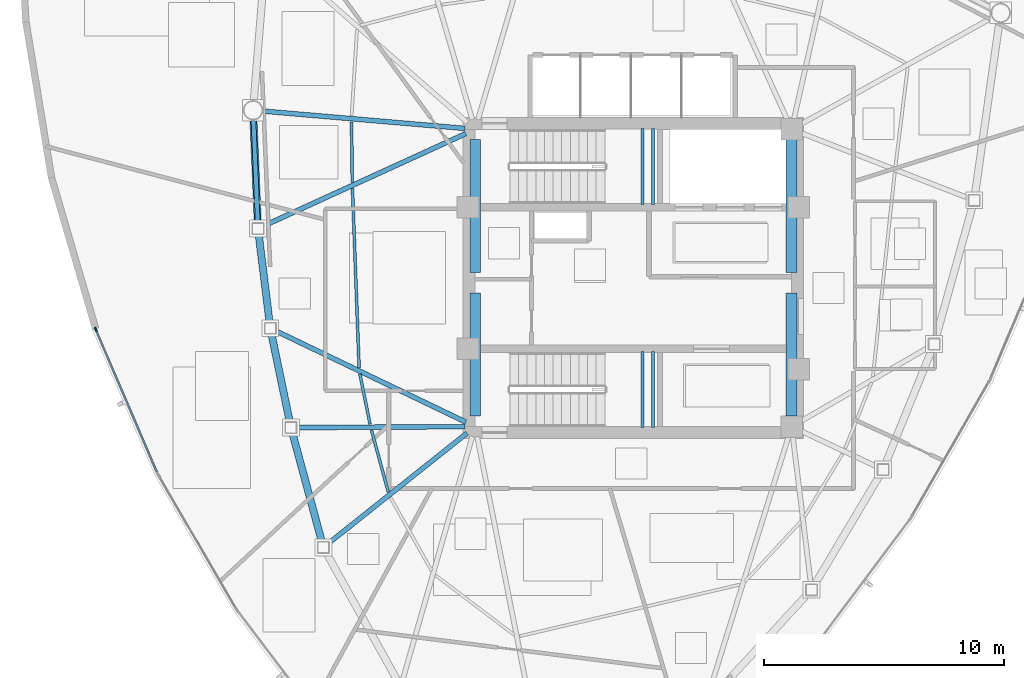
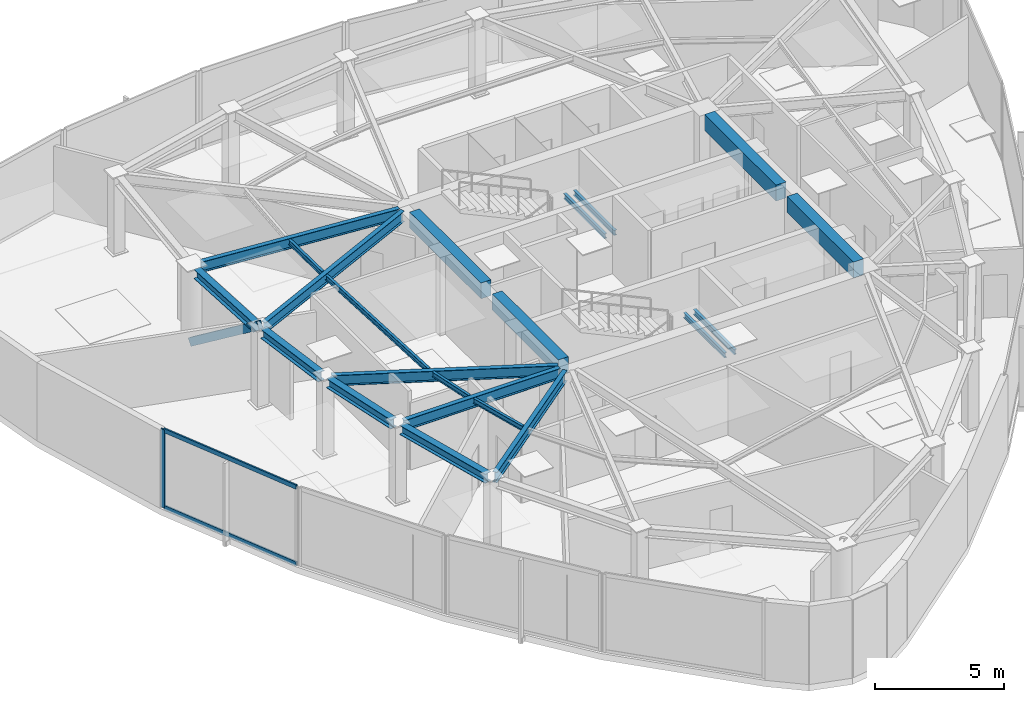
# One storey, part 3 of 12: 21 beams, 4 members, 1 element without a shape of its own.
"""IFC4 building model written with IfcOpenShell, lengths in metres."""

from ifc_helpers import new_model, si_unit, direction, frame, origin, origin_2d, place, context, subcontext, project, spatial, rectangle, hollow_rectangle, i_section, extrude, source, transform, mapped, material, layer, layer_set, material_profile, profile_set, type_object, type_shapes, element, aggregate, save


model = new_model("IFC4")

# Units and contexts
model_context = context("Model", 3, precision=1e-05, world=origin(), true_north=direction((0.0, 1.0)))
body_context = subcontext(model_context, "Body", "Model", "MODEL_VIEW")
ifc_project = project(units=[si_unit("LENGTHUNIT", "METRE"), si_unit("AREAUNIT", "SQUARE_METRE"), si_unit("VOLUMEUNIT", "CUBIC_METRE"), si_unit("PLANEANGLEUNIT", "RADIAN"), si_unit("MASSUNIT", "GRAM", prefix="KILO")], contexts=[model_context])

# Site, building, storey
site_placement = place(None, origin())
site = spatial("IfcSite", under=ifc_project, at=site_placement, CompositionType="ELEMENT")
building_placement = place(site_placement, origin())
building = spatial("IfcBuilding", under=site, at=building_placement, Name="Tavelor Broadcast Tower", CompositionType="ELEMENT")
storey_placement = place(building_placement, frame((0.0, 0.0, 281.5)))
storey = spatial("IfcBuildingStorey", under=building, at=storey_placement, Name="L67", CompositionType="ELEMENT", Elevation=281.5)

# Beams
ifc_material_1 = material(Name="Concrete C40/50", Category="concrete")
ifc_material_profile_1 = material_profile(ifc_material_1, rectangle(XDim=0.449951171875, YDim=0.75, at=origin_2d()), Name="RC 450x750")
ifc_profile_set_1 = profile_set([ifc_material_profile_1], Name="Concrete C40/50")
beam_type_1 = type_object("IfcBeamType", Name="Basement Core Trim Beam 450x750", PredefinedType="BEAM", material=ifc_profile_set_1)
for number, where, z_axis, x_axis, name in (
    (1, (43.39990234375, 45.23193359375, 3.324951171875), (0.0, 1.0, 0.0), (-1.0, 0.0, 0.0), "L67 Core West-N Tie Girder"),
    (2, (56.60009765625, 45.23193359375, 3.324951171875), (0.0, 1.0, 0.0), (-1.0, 0.0, 0.0), "L67 Core East-N Tie Girder"),
):
    element("IfcBeam", number, at=place(storey_placement, frame(where, z_axis=z_axis, x_axis=x_axis)), inside=storey, type_object=beam_type_1, Name=name, PredefinedType="BEAM", context=body_context, shape_type="SweptSolid", body=[
        extrude(rectangle(XDim=0.449951171875, YDim=0.75, at=origin_2d()), origin(), (0.0, 0.0, 1.0), 5.5361328125),
    ])
for number, where, z_axis, x_axis, name in (
    (3, (43.39990234375, 39.23193359375, 3.324951171875), (0.0, 1.0, 0.0), (-1.0, 0.0, 0.0), "L67 Core West-S Tie Girder"),
    (4, (56.60009765625, 39.23193359375, 3.324951171875), (0.0, 1.0, 0.0), (-1.0, 0.0, 0.0), "L67 Core East-S Tie Girder"),
):
    element("IfcBeam", number, at=place(storey_placement, frame(where, z_axis=z_axis, x_axis=x_axis)), inside=storey, type_object=beam_type_1, Name=name, PredefinedType="BEAM", context=body_context, shape_type="SweptSolid", body=[
        extrude(rectangle(XDim=0.449951171875, YDim=0.75, at=origin_2d()), origin(), (0.0, 0.0, 1.0), 5.135986328125),
    ])
ifc_material_2 = material(Name="Steel S355", Category="steel")
ifc_material_profile_2 = material_profile(ifc_material_2, i_section(OverallWidth=0.1201171875, OverallDepth=0.239990234375, WebThickness=0.006103515625, FlangeThickness=0.009765625, at=origin_2d()), Name="IPE 240")
ifc_profile_set_2 = profile_set([ifc_material_profile_2], Name="Steel S355")
beam_type_2 = type_object("IfcBeamType", Name="Composite Floor Joist T7 IPE 240", PredefinedType="JOIST", material=ifc_profile_set_2)
beam_1_placement = place(storey_placement, frame((38.241455078125, 51.514404296875, 3.580078125), z_axis=(0.013238113163, -0.999912372341, 0.0), x_axis=(0.999912372341, 0.013238113163, 0.0)))
element("IfcBeam", 5, at=beam_1_placement, inside=storey, type_object=beam_type_2, Name="L67 Secondary Composite Floor Joist 01", PredefinedType="JOIST", context=body_context, shape_type="SweptSolid", body=[
    extrude(i_section(OverallWidth=0.1201171875, OverallDepth=0.239990234375, WebThickness=0.006103515625, FlangeThickness=0.009765625, at=origin_2d()), origin(), (0.0, 0.0, 1.0), 2.526611328125),
])
beam_2_placement = place(storey_placement, frame((38.281494140625, 48.730224609375, 3.580078125), z_axis=(0.037116611217, -0.999310941185, 0.0), x_axis=(0.999310941185, 0.037116611217, 0.0)))
element("IfcBeam", 6, at=beam_2_placement, inside=storey, type_object=beam_type_2, Name="L67 Secondary Composite Floor Joist 02", PredefinedType="JOIST", context=body_context, shape_type="SweptSolid", body=[
    extrude(i_section(OverallWidth=0.1201171875, OverallDepth=0.239990234375, WebThickness=0.006103515625, FlangeThickness=0.009765625, at=origin_2d()), origin(), (0.0, 0.0, 1.0), 7.4853515625),
])
beam_3_placement = place(storey_placement, frame((38.58984375, 40.99462890625, 3.580078125), z_axis=(0.199500807381, -0.979897661929, 0.0), x_axis=(0.979897661929, 0.199500807381, 0.0)))
element("IfcBeam", 7, at=beam_3_placement, inside=storey, type_object=beam_type_2, Name="L67 Secondary Composite Floor Joist 03", PredefinedType="JOIST", context=body_context, shape_type="SweptSolid", body=[
    extrude(i_section(OverallWidth=0.1201171875, OverallDepth=0.239990234375, WebThickness=0.006103515625, FlangeThickness=0.009765625, at=origin_2d()), origin(), (0.0, 0.0, 1.0), 2.135498046875),
])
beam_4_placement = place(storey_placement, frame((39.075439453125, 38.651123046875, 3.580078125), z_axis=(0.261967616798, -0.965076664182, 0.0), x_axis=(0.965076664182, 0.261967616798, 0.0)))
element("IfcBeam", 8, at=beam_4_placement, inside=storey, type_object=beam_type_2, Name="L67 Secondary Composite Floor Joist 04", PredefinedType="JOIST", context=body_context, shape_type="SweptSolid", body=[
    extrude(i_section(OverallWidth=0.1201171875, OverallDepth=0.239990234375, WebThickness=0.006103515625, FlangeThickness=0.009765625, at=origin_2d()), origin(), (0.0, 0.0, 1.0), 2.677490234375),
])
ifc_material_profile_3 = material_profile(ifc_material_2, i_section(OverallWidth=0.300048828125, OverallDepth=0.43994140625, WebThickness=0.011474609375, FlangeThickness=0.02099609375, at=origin_2d()), Name="HEA 450")
ifc_profile_set_3 = profile_set([ifc_material_profile_3], Name="Steel S355")
beam_type_3 = type_object("IfcBeamType", Name="Perimeter Spandrel Beam T7 HEA 450", PredefinedType="SPANDREL", material=ifc_profile_set_3)
beam_5_placement = place(storey_placement, frame((34.151123046875, 51.60595703125, 3.47998046875), z_axis=(0.041873296911, -0.999122928876, 0.0), x_axis=(0.999122928876, 0.041873296911, 0.0)))
element("IfcBeam", 9, at=beam_5_placement, inside=storey, type_object=beam_type_3, Name="L67 Framed-Tube Ring Spandrel 01", PredefinedType="SPANDREL", context=body_context, shape_type="SweptSolid", body=[
    extrude(i_section(OverallWidth=0.300048828125, OverallDepth=0.43994140625, WebThickness=0.011474609375, FlangeThickness=0.02099609375, at=origin_2d()), origin(), (0.0, 0.0, 1.0), 4.30859375),
])
beam_6_placement = place(storey_placement, frame((34.370849609375, 46.822998046875, 3.47998046875), z_axis=(0.122301764237, -0.992492961418, 0.0), x_axis=(0.992492961418, 0.122301764237, 0.0)))
element("IfcBeam", 10, at=beam_6_placement, inside=storey, type_object=beam_type_3, Name="L67 Framed-Tube Ring Spandrel 02", PredefinedType="SPANDREL", context=body_context, shape_type="SweptSolid", body=[
    extrude(i_section(OverallWidth=0.300048828125, OverallDepth=0.43994140625, WebThickness=0.011474609375, FlangeThickness=0.02099609375, at=origin_2d()), origin(), (0.0, 0.0, 1.0), 3.7109375),
])
beam_7_placement = place(storey_placement, frame((34.903076171875, 42.666748046875, 3.47998046875), z_axis=(0.203665911817, -0.979040446746, 0.0), x_axis=(0.979040446746, 0.203665911817, 0.0)))
element("IfcBeam", 11, at=beam_7_placement, inside=storey, type_object=beam_type_3, Name="L67 Framed-Tube Ring Spandrel 03", PredefinedType="SPANDREL", context=body_context, shape_type="SweptSolid", body=[
    extrude(i_section(OverallWidth=0.300048828125, OverallDepth=0.43994140625, WebThickness=0.011474609375, FlangeThickness=0.02099609375, at=origin_2d()), origin(), (0.0, 0.0, 1.0), 3.753173828125),
])
beam_8_placement = place(storey_placement, frame((35.779296875, 38.525390625, 3.47998046875), z_axis=(0.261032085305, -0.965330125108, 0.0), x_axis=(0.965330125108, 0.261032085305, 0.0)))
element("IfcBeam", 12, at=beam_8_placement, inside=storey, type_object=beam_type_3, Name="L67 Framed-Tube Ring Spandrel 04", PredefinedType="SPANDREL", context=body_context, shape_type="SweptSolid", body=[
    extrude(i_section(OverallWidth=0.300048828125, OverallDepth=0.43994140625, WebThickness=0.011474609375, FlangeThickness=0.02099609375, at=origin_2d()), origin(), (0.0, 0.0, 1.0), 4.697021484375),
])

# Member
ifc_material_profile_4 = material_profile(ifc_material_2, hollow_rectangle(XDim=0.199951171875, YDim=0.35009765625, WallThickness=0.01611328125, at=origin_2d()), Name="RHS 350x200x16")
ifc_profile_set_4 = profile_set([ifc_material_profile_4], Name="Steel S355")
member_type_1 = type_object("IfcMemberType", Name="Perimeter Tube Brace T7 RHS 350x200x16", PredefinedType="BRACE", material=ifc_profile_set_4)
member_1_placement = place(storey_placement, frame((34.134765625, 51.995849609375, 0.0), z_axis=(0.033508994779, -0.799626685339, 0.599561766095), x_axis=(0.999123106787, 0.041869051625, 0.0)))
element("IfcMember", 13, at=member_1_placement, inside=storey, type_object=member_type_1, Name="L67 Corner Tube Diagonal Brace 1", PredefinedType="BRACE", context=body_context, shape_type="SweptSolid", body=[
    extrude(hollow_rectangle(XDim=0.199951171875, YDim=0.35009765625, WallThickness=0.01611328125, at=origin_2d()), origin(), (0.0, 0.0, 1.0), 6.171142578125),
])

# Beams
ifc_material_profile_5 = material_profile(ifc_material_2, i_section(OverallWidth=0.199951171875, OverallDepth=0.5, WebThickness=0.01025390625, FlangeThickness=0.01611328125, at=origin_2d()), Name="IPE 500")
ifc_profile_set_5 = profile_set([ifc_material_profile_5], Name="Steel S355")
beam_type_4 = type_object("IfcBeamType", Name="Radial Floor Girder T7 IPE 500", PredefinedType="BEAM", material=ifc_profile_set_5)
beam_9_placement = place(storey_placement, frame((42.969482421875, 51.237060546875, 3.449951171875), z_axis=(-0.996332421592, 0.085566966079, 0.0), x_axis=(-0.085566966079, -0.996332421592, 0.0)))
element("IfcBeam", 14, at=beam_9_placement, inside=storey, type_object=beam_type_4, Name="L67 Radial Primary Floor Girder 01", PredefinedType="BEAM", context=body_context, shape_type="SweptSolid", body=[
    extrude(i_section(OverallWidth=0.199951171875, OverallDepth=0.5, WebThickness=0.01025390625, FlangeThickness=0.01611328125, at=origin_2d()), origin(), (0.0, 0.0, 1.0), 8.476806640625),
])
beam_10_placement = place(storey_placement, frame((43.007080078125, 51.0205078125, 3.449951171875), z_axis=(-0.909555398284, -0.415582696285, 0.0), x_axis=(0.415582696285, -0.909555398284, 0.0)))
element("IfcBeam", 15, at=beam_10_placement, inside=storey, type_object=beam_type_4, Name="L67 Radial Primary Floor Girder 02", PredefinedType="BEAM", context=body_context, shape_type="SweptSolid", body=[
    extrude(i_section(OverallWidth=0.199951171875, OverallDepth=0.5, WebThickness=0.01025390625, FlangeThickness=0.01611328125, at=origin_2d()), origin(), (0.0, 0.0, 1.0), 9.287353515625),
])
beam_11_placement = place(storey_placement, frame((43.010498046875, 38.98681640625, 3.449951171875), z_axis=(-0.901529113374, 0.432718450888, 0.0), x_axis=(-0.432718450888, -0.901529113374, 0.0)))
element("IfcBeam", 16, at=beam_11_placement, inside=storey, type_object=beam_type_4, Name="L67 Radial Primary Floor Girder 03", PredefinedType="BEAM", context=body_context, shape_type="SweptSolid", body=[
    extrude(i_section(OverallWidth=0.199951171875, OverallDepth=0.5, WebThickness=0.01025390625, FlangeThickness=0.01611328125, at=origin_2d()), origin(), (0.0, 0.0, 1.0), 8.80712890625),
])
beam_12_placement = place(storey_placement, frame((42.968017578125, 38.797607421875, 3.449951171875), z_axis=(-0.999984286501, -0.005605956688, 0.0), x_axis=(0.005605956688, -0.999984286501, 0.0)))
element("IfcBeam", 17, at=beam_12_placement, inside=storey, type_object=beam_type_4, Name="L67 Radial Primary Floor Girder 04", PredefinedType="BEAM", context=body_context, shape_type="SweptSolid", body=[
    extrude(i_section(OverallWidth=0.199951171875, OverallDepth=0.5, WebThickness=0.01025390625, FlangeThickness=0.01611328125, at=origin_2d()), origin(), (0.0, 0.0, 1.0), 7.011474609375),
])
beam_13_placement = place(storey_placement, frame((43.06201171875, 38.531005859375, 3.449951171875), z_axis=(-0.782384634469, -0.622795539279, 0.0), x_axis=(0.622795539279, -0.782384634469, 0.0)))
element("IfcBeam", 18, at=beam_13_placement, inside=storey, type_object=beam_type_4, Name="L67 Radial Primary Floor Girder 05", PredefinedType="BEAM", context=body_context, shape_type="SweptSolid", body=[
    extrude(i_section(OverallWidth=0.199951171875, OverallDepth=0.5, WebThickness=0.01025390625, FlangeThickness=0.01611328125, at=origin_2d()), origin(), (0.0, 0.0, 1.0), 7.421142578125),
])
ifc_material_profile_6 = material_profile(ifc_material_2, i_section(OverallWidth=0.1201171875, OverallDepth=0.239990234375, WebThickness=0.006103515625, FlangeThickness=0.009765625, at=origin_2d()), Name="IPE 240")
ifc_profile_set_6 = profile_set([ifc_material_profile_6], Name="Steel S355")
beam_type_5 = type_object("IfcBeamType", Name="Stairwell Landing Support Trimmer Beam IPE240", PredefinedType="BEAM", material=ifc_profile_set_6)
for number, where, z_axis, x_axis, name in (
    (19, (50.385009765625, 48.06005859375, 1.68505859375), (0.0, 1.0, 0.0), (-1.0, 0.0, 0.0), "L67 Stair Landing Support Beam 175"),
    (20, (50.824951171875, 48.06005859375, 1.68505859375), (0.0, 1.0, 0.0), (-1.0, 0.0, 0.0), "L67 Stair Landing Support Beam 176"),
    (21, (50.385009765625, 38.760009765625, 1.68505859375), (0.0, 1.0, 0.0), (-1.0, 0.0, 0.0), "L67 Stair Landing Support Beam 389"),
    (22, (50.824951171875, 38.760009765625, 1.68505859375), (0.0, 1.0, 0.0), (-1.0, 0.0, 0.0), "L67 Stair Landing Support Beam 390"),
):
    element("IfcBeam", number, at=place(storey_placement, frame(where, z_axis=z_axis, x_axis=x_axis)), inside=storey, type_object=beam_type_5, Name=name, PredefinedType="BEAM", context=body_context, shape_type="SweptSolid", body=[
        extrude(i_section(OverallWidth=0.1201171875, OverallDepth=0.239990234375, WebThickness=0.006103515625, FlangeThickness=0.009765625, at=origin_2d()), origin(), (0.0, 0.0, 1.0), 3.179931640625),
    ])

# Curtain wall, members
ifc_material_3 = material(Name="Architectural Anodized Aluminium", Category="aluminium")
ifc_layer = layer(ifc_material_3, 0.199951171875)
ifc_layer_set = layer_set([ifc_layer], Name="Architectural Anodized Aluminium")
curtain_wall_type = type_object("IfcCurtainWallType", Name="Tower High-Zone Triple-Glazed Curtain Wall CW04", PredefinedType="NOTDEFINED", material=ifc_layer_set)
curtain_wall_placement = place(storey_placement, origin())
curtain_wall = element("IfcCurtainWall", 23, at=curtain_wall_placement, inside=storey, type_object=curtain_wall_type, Name="L67 Curtain Wall CW04 Run 733", PredefinedType="NOTDEFINED")
ifc_material_profile_7 = material_profile(ifc_material_3, hollow_rectangle(XDim=0.070068359375, YDim=0.199951171875, WallThickness=0.02197265625, at=origin_2d()), Name="RHS 70x200x22")
ifc_profile_set_7 = profile_set([ifc_material_profile_7], Name="Architectural Anodized Aluminium")
member_type_2 = type_object("IfcMemberType", Name="CW04 Extruded Aluminium Mullion 70x200", PredefinedType="MULLION", material=ifc_profile_set_7)
shared_shape_1 = source(origin(), body_context, "Body", "SweptSolid", [
    extrude(hollow_rectangle(XDim=0.070068359375, YDim=0.199951171875, WallThickness=0.02197265625, at=origin_2d()), origin(), (0.0, 0.0, 1.0), 3.699951171875),
])
type_shapes(member_type_2, [shared_shape_1])
member_2_placement = place(storey_placement, frame((27.57861328125, 42.8486328125, 0.0), z_axis=(0.0, 0.0, 1.0), x_axis=(0.918965351862, 0.394338283809, 0.0)))
member_2 = element("IfcMember", 24, at=member_2_placement, type_object=member_type_2, Name="CW04 mullion 1", PredefinedType="MULLION", context=body_context, shape_type="MappedRepresentation", body=[
    mapped(shared_shape_1, transform((0.0, 0.0, 0.0), scale=1.0)),
])
ifc_material_profile_8 = material_profile(ifc_material_3, hollow_rectangle(XDim=0.070068359375, YDim=0.199951171875, WallThickness=0.02197265625, at=origin_2d()), Name="RHS 70x200x22")
ifc_profile_set_8 = profile_set([ifc_material_profile_8], Name="Architectural Anodized Aluminium")
member_type_3 = type_object("IfcMemberType", Name="CW04 Extruded Aluminium Transom 70x200", PredefinedType="USERDEFINED", material=ifc_profile_set_8)
shared_shape_2 = source(origin(), body_context, "Body", "SweptSolid", [
    extrude(hollow_rectangle(XDim=0.070068359375, YDim=0.199951171875, WallThickness=0.02197265625, at=origin_2d()), origin(), (0.0, 0.0, 1.0), 6.427001953125),
])
type_shapes(member_type_3, [shared_shape_2])
member_3_placement = place(storey_placement, frame((27.59228515625, 42.816650390625, 0.034912109375), z_axis=(0.394336453077, -0.918966137447, 0.0), x_axis=(0.918966137447, 0.394336453077, 0.0)))
member_3 = element("IfcMember", 25, at=member_3_placement, type_object=member_type_3, Name="CW04 transom 1.1", ObjectType="TRANSOM", PredefinedType="USERDEFINED", context=body_context, shape_type="MappedRepresentation", body=[
    mapped(shared_shape_2, transform((0.0, 0.0, 0.0), scale=1.0)),
])
member_4_placement = place(storey_placement, frame((27.59228515625, 42.816650390625, 3.6650390625), z_axis=(0.394336453077, -0.918966137447, 0.0), x_axis=(0.918966137447, 0.394336453077, 0.0)))
member_4 = element("IfcMember", 26, at=member_4_placement, type_object=member_type_3, Name="CW04 transom 1.2", ObjectType="TRANSOM", PredefinedType="USERDEFINED", context=body_context, shape_type="MappedRepresentation", body=[
    mapped(shared_shape_2, transform((0.0, 0.0, 0.0), scale=1.0)),
])
aggregate(curtain_wall, [member_2, member_3, member_4])

save(model, "model.ifc")
